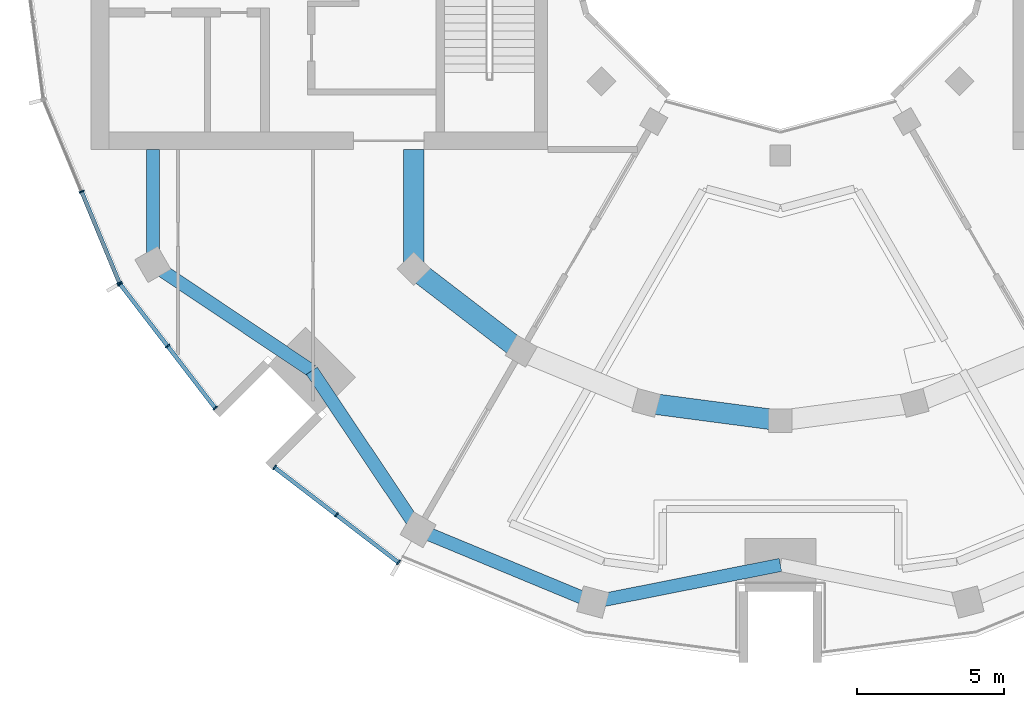
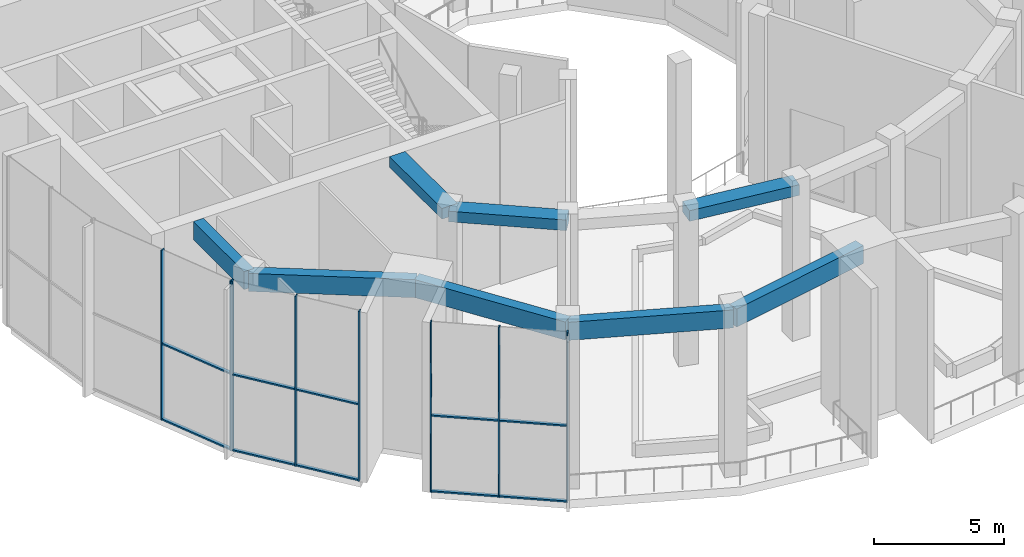
# One storey, part 2 of 18: 18 members, 8 beams, 3 elements without a shape of their own.
"""IFC4 building model written with IfcOpenShell, lengths in metres."""

from ifc_helpers import new_model, si_unit, direction, frame, origin, origin_2d, place, context, subcontext, project, spatial, rectangle, extrude, material, layer, layer_set, material_profile, profile_set, type_object, element, aggregate, save


model = new_model("IFC4")

# Units and contexts
model_context = context("Model", 3, precision=1e-05, world=origin(), true_north=direction((0.0, 1.0)))
body_context = subcontext(model_context, "Body", "Model", "MODEL_VIEW")
ifc_project = project(units=[si_unit("LENGTHUNIT", "METRE"), si_unit("AREAUNIT", "SQUARE_METRE"), si_unit("VOLUMEUNIT", "CUBIC_METRE"), si_unit("PLANEANGLEUNIT", "RADIAN"), si_unit("MASSUNIT", "GRAM", prefix="KILO")], contexts=[model_context])

# Site, building, storey
site_placement = place(None, origin())
site = spatial("IfcSite", under=ifc_project, at=site_placement, CompositionType="ELEMENT")
building_placement = place(site_placement, origin())
building = spatial("IfcBuilding", under=site, at=building_placement, Name="Torre Brocal", CompositionType="ELEMENT")
storey_placement = place(building_placement, frame((0.0, 0.0, 229.300048828125)))
storey = spatial("IfcBuildingStorey", under=building, at=storey_placement, Name="L53", CompositionType="ELEMENT", Elevation=229.300048828125)

# Curtain wall, members
ifc_material_1 = material(Name="Aluminium and glass", Category="aluminium")
ifc_layer = layer(ifc_material_1, 0.199951171875)
ifc_layer_set = layer_set([ifc_layer], Name="Aluminium and glass")
curtain_wall_type = type_object("IfcCurtainWallType", Name="CW-4 CURTAIN WALL 8000 HIGH", PredefinedType="NOTDEFINED", material=ifc_layer_set)
curtain_wall_1_placement = place(storey_placement, origin())
curtain_wall_1 = element("IfcCurtainWall", 1, at=curtain_wall_1_placement, inside=storey, type_object=curtain_wall_type, Name="CW-4 RUN 14", PredefinedType="NOTDEFINED")
ifc_material_2 = material(Name="Aluminium, dark anodised", Category="aluminium")
ifc_material_profile_1 = material_profile(ifc_material_2, rectangle(XDim=0.179931640625, YDim=0.050048828125, at=origin_2d()), Name="CW-4 MULLION 50X180")
ifc_profile_set_1 = profile_set([ifc_material_profile_1], Name="Aluminium, dark anodised")
member_type_1 = type_object("IfcMemberType", Name="CW-4 MULLION 50X180", PredefinedType="MULLION", material=ifc_profile_set_1)
member_1_placement = place(storey_placement, frame((56.277099609375, 65.173583984375, 0.0), z_axis=(0.0, 0.0, 1.0), x_axis=(0.923879532525, 0.382683432333, 0.0)))
member_1 = element("IfcMember", 2, at=member_1_placement, type_object=member_type_1, Name="CW4-1 mullion 2", PredefinedType="MULLION", context=body_context, shape_type="SweptSolid", body=[
    extrude(rectangle(XDim=0.179931640625, YDim=0.050048828125, at=origin_2d()), origin(), (0.0, 0.0, 1.0), 8.0),
])
member_2_placement = place(storey_placement, frame((57.56103515625, 62.073486328125, 0.0), z_axis=(0.0, 0.0, 1.0), x_axis=(0.923879532525, 0.382683432333, 0.0)))
member_2 = element("IfcMember", 3, at=member_2_placement, type_object=member_type_1, Name="CW4-1 mullion 3", PredefinedType="MULLION", context=body_context, shape_type="SweptSolid", body=[
    extrude(rectangle(XDim=0.179931640625, YDim=0.050048828125, at=origin_2d()), origin(), (0.0, 0.0, 1.0), 8.0),
])

curtain_wall_2_placement = place(storey_placement, origin())
curtain_wall_2 = element("IfcCurtainWall", 4, at=curtain_wall_2_placement, inside=storey, type_object=curtain_wall_type, Name="CW-4 RUN 15", PredefinedType="NOTDEFINED")
member_3_placement = place(storey_placement, frame((57.5859375, 62.030517578125, 0.0), z_axis=(0.0, 0.0, 1.0), x_axis=(0.793353340259, 0.60876142905, 0.0)))
member_3 = element("IfcMember", 5, at=member_3_placement, type_object=member_type_1, Name="CW4-1 mullion 1", PredefinedType="MULLION", context=body_context, shape_type="SweptSolid", body=[
    extrude(rectangle(XDim=0.179931640625, YDim=0.050048828125, at=origin_2d()), origin(), (0.0, 0.0, 1.0), 8.0),
])
member_4_placement = place(storey_placement, frame((59.19873046875, 59.9287109375, 0.0), z_axis=(0.0, 0.0, 1.0), x_axis=(0.793353340259, 0.60876142905, 0.0)))
member_4 = element("IfcMember", 6, at=member_4_placement, type_object=member_type_1, Name="CW4-1 mullion 2", PredefinedType="MULLION", context=body_context, shape_type="SweptSolid", body=[
    extrude(rectangle(XDim=0.179931640625, YDim=0.050048828125, at=origin_2d()), origin(), (0.0, 0.0, 1.0), 8.0),
])
member_5_placement = place(storey_placement, frame((60.811767578125, 57.82666015625, 0.0), z_axis=(0.0, 0.0, 1.0), x_axis=(0.793353340259, 0.60876142905, 0.0)))
member_5 = element("IfcMember", 7, at=member_5_placement, type_object=member_type_1, Name="CW4-1 mullion 3", PredefinedType="MULLION", context=body_context, shape_type="SweptSolid", body=[
    extrude(rectangle(XDim=0.179931640625, YDim=0.050048828125, at=origin_2d()), origin(), (0.0, 0.0, 1.0), 8.0),
])

curtain_wall_3_placement = place(storey_placement, origin())
curtain_wall_3 = element("IfcCurtainWall", 8, at=curtain_wall_3_placement, inside=storey, type_object=curtain_wall_type, Name="CW-4 RUN 16", PredefinedType="NOTDEFINED")
member_6_placement = place(storey_placement, frame((62.82666015625, 55.811767578125, 0.0), z_axis=(0.0, 0.0, 1.0), x_axis=(0.60876142905, 0.793353340259, 0.0)))
member_6 = element("IfcMember", 9, at=member_6_placement, type_object=member_type_1, Name="CW4-1 mullion 1", PredefinedType="MULLION", context=body_context, shape_type="SweptSolid", body=[
    extrude(rectangle(XDim=0.179931640625, YDim=0.050048828125, at=origin_2d()), origin(), (0.0, 0.0, 1.0), 8.0),
])
member_7_placement = place(storey_placement, frame((64.9287109375, 54.19873046875, 0.0), z_axis=(0.0, 0.0, 1.0), x_axis=(0.60876142905, 0.793353340259, 0.0)))
member_7 = element("IfcMember", 10, at=member_7_placement, type_object=member_type_1, Name="CW4-1 mullion 2", PredefinedType="MULLION", context=body_context, shape_type="SweptSolid", body=[
    extrude(rectangle(XDim=0.179931640625, YDim=0.050048828125, at=origin_2d()), origin(), (0.0, 0.0, 1.0), 8.0),
])
member_8_placement = place(storey_placement, frame((67.030517578125, 52.5859375, 0.0), z_axis=(0.0, 0.0, 1.0), x_axis=(0.60876142905, 0.793353340259, 0.0)))
member_8 = element("IfcMember", 11, at=member_8_placement, type_object=member_type_1, Name="CW4-1 mullion 3", PredefinedType="MULLION", context=body_context, shape_type="SweptSolid", body=[
    extrude(rectangle(XDim=0.179931640625, YDim=0.050048828125, at=origin_2d()), origin(), (0.0, 0.0, 1.0), 8.0),
])

# Member
ifc_material_3 = material(Name="Aluminium, dark anodised", Category="aluminium")
ifc_material_profile_2 = material_profile(ifc_material_3, rectangle(XDim=0.139892578125, YDim=0.070068359375, at=origin_2d()), Name="CW-4 TRANSOM 140X70")
ifc_profile_set_2 = profile_set([ifc_material_profile_2], Name="Aluminium, dark anodised")
member_type_2 = type_object("IfcMemberType", Name="CW-4 TRANSOM 140X70", PredefinedType="USERDEFINED", material=ifc_profile_set_2)
member_9_placement = place(storey_placement, frame((56.28662109375, 65.150634765625, 0.034912109375), z_axis=(0.382658376168, -0.92388991073, 0.0), x_axis=(0.92388991073, 0.382658376168, 0.0)))
member_9 = element("IfcMember", 12, at=member_9_placement, type_object=member_type_2, Name="CW4-1 transom 2.1", ObjectType="TRANSOM", PredefinedType="USERDEFINED", context=body_context, shape_type="SweptSolid", body=[
    extrude(rectangle(XDim=0.139892578125, YDim=0.070068359375, at=origin_2d()), origin(), (0.0, 0.0, 1.0), 3.305419921875),
])

member_10_placement = place(storey_placement, frame((56.28662109375, 65.150634765625, 3.599853515625), z_axis=(0.382658376168, -0.92388991073, 0.0), x_axis=(0.92388991073, 0.382658376168, 0.0)))
member_10 = element("IfcMember", 13, at=member_10_placement, type_object=member_type_2, Name="CW4-1 transom 2.2", ObjectType="TRANSOM", PredefinedType="USERDEFINED", context=body_context, shape_type="SweptSolid", body=[
    extrude(rectangle(XDim=0.139892578125, YDim=0.070068359375, at=origin_2d()), origin(), (0.0, 0.0, 1.0), 3.305419921875),
])

aggregate(curtain_wall_1, [member_1, member_2, member_9, member_10])

member_11_placement = place(storey_placement, frame((57.60107421875, 62.0107421875, 0.034912109375), z_axis=(0.608784419977, -0.793335698171, 0.0), x_axis=(0.793335698171, 0.608784419977, 0.0)))
member_11 = element("IfcMember", 14, at=member_11_placement, type_object=member_type_2, Name="CW4-1 transom 1.1", ObjectType="TRANSOM", PredefinedType="USERDEFINED", context=body_context, shape_type="SweptSolid", body=[
    extrude(rectangle(XDim=0.139892578125, YDim=0.070068359375, at=origin_2d()), origin(), (0.0, 0.0, 1.0), 2.599365234375),
])

member_12_placement = place(storey_placement, frame((57.60107421875, 62.0107421875, 3.599853515625), z_axis=(0.608784419977, -0.793335698171, 0.0), x_axis=(0.793335698171, 0.608784419977, 0.0)))
member_12 = element("IfcMember", 15, at=member_12_placement, type_object=member_type_2, Name="CW4-1 transom 1.2", ObjectType="TRANSOM", PredefinedType="USERDEFINED", context=body_context, shape_type="SweptSolid", body=[
    extrude(rectangle(XDim=0.139892578125, YDim=0.070068359375, at=origin_2d()), origin(), (0.0, 0.0, 1.0), 2.599365234375),
])

member_13_placement = place(storey_placement, frame((59.214111328125, 59.90869140625, 0.034912109375), z_axis=(0.608725303881, -0.79338105877, 0.0), x_axis=(0.79338105877, 0.608725303881, 0.0)))
member_13 = element("IfcMember", 16, at=member_13_placement, type_object=member_type_2, Name="CW4-1 transom 2.1", ObjectType="TRANSOM", PredefinedType="USERDEFINED", context=body_context, shape_type="SweptSolid", body=[
    extrude(rectangle(XDim=0.139892578125, YDim=0.070068359375, at=origin_2d()), origin(), (0.0, 0.0, 1.0), 2.599365234375),
])

member_14_placement = place(storey_placement, frame((59.214111328125, 59.90869140625, 3.599853515625), z_axis=(0.608725303881, -0.79338105877, 0.0), x_axis=(0.79338105877, 0.608725303881, 0.0)))
member_14 = element("IfcMember", 17, at=member_14_placement, type_object=member_type_2, Name="CW4-1 transom 2.2", ObjectType="TRANSOM", PredefinedType="USERDEFINED", context=body_context, shape_type="SweptSolid", body=[
    extrude(rectangle(XDim=0.139892578125, YDim=0.070068359375, at=origin_2d()), origin(), (0.0, 0.0, 1.0), 2.599365234375),
])

aggregate(curtain_wall_2, [member_3, member_4, member_5, member_11, member_12, member_13, member_14])

member_15_placement = place(storey_placement, frame((62.846435546875, 55.79638671875, 0.034912109375), z_axis=(0.79338105877, -0.608725303881, 0.0), x_axis=(0.608725303881, 0.79338105877, 0.0)))
member_15 = element("IfcMember", 18, at=member_15_placement, type_object=member_type_2, Name="CW4-1 transom 1.1", ObjectType="TRANSOM", PredefinedType="USERDEFINED", context=body_context, shape_type="SweptSolid", body=[
    extrude(rectangle(XDim=0.139892578125, YDim=0.070068359375, at=origin_2d()), origin(), (0.0, 0.0, 1.0), 2.599365234375),
])

member_16_placement = place(storey_placement, frame((62.846435546875, 55.79638671875, 3.599853515625), z_axis=(0.79338105877, -0.608725303881, 0.0), x_axis=(0.608725303881, 0.79338105877, 0.0)))
member_16 = element("IfcMember", 19, at=member_16_placement, type_object=member_type_2, Name="CW4-1 transom 1.2", ObjectType="TRANSOM", PredefinedType="USERDEFINED", context=body_context, shape_type="SweptSolid", body=[
    extrude(rectangle(XDim=0.139892578125, YDim=0.070068359375, at=origin_2d()), origin(), (0.0, 0.0, 1.0), 2.599365234375),
])

member_17_placement = place(storey_placement, frame((64.948486328125, 54.18359375, 0.034912109375), z_axis=(0.793335698171, -0.608784419977, 0.0), x_axis=(0.608784419977, 0.793335698171, 0.0)))
member_17 = element("IfcMember", 20, at=member_17_placement, type_object=member_type_2, Name="CW4-1 transom 2.1", ObjectType="TRANSOM", PredefinedType="USERDEFINED", context=body_context, shape_type="SweptSolid", body=[
    extrude(rectangle(XDim=0.139892578125, YDim=0.070068359375, at=origin_2d()), origin(), (0.0, 0.0, 1.0), 2.599365234375),
])

member_18_placement = place(storey_placement, frame((64.948486328125, 54.18359375, 3.599853515625), z_axis=(0.793335698171, -0.608784419977, 0.0), x_axis=(0.608784419977, 0.793335698171, 0.0)))
member_18 = element("IfcMember", 21, at=member_18_placement, type_object=member_type_2, Name="CW4-1 transom 2.2", ObjectType="TRANSOM", PredefinedType="USERDEFINED", context=body_context, shape_type="SweptSolid", body=[
    extrude(rectangle(XDim=0.139892578125, YDim=0.070068359375, at=origin_2d()), origin(), (0.0, 0.0, 1.0), 2.599365234375),
])

aggregate(curtain_wall_3, [member_6, member_7, member_8, member_15, member_16, member_17, member_18])

# Beams
ifc_material_4 = material(Name="Concrete C50", Category="concrete")
ifc_material_profile_3 = material_profile(ifc_material_4, rectangle(XDim=0.699951171875, YDim=0.5, at=origin_2d()), Name="RC 700X500")
ifc_profile_set_3 = profile_set([ifc_material_profile_3], Name="Concrete C50")
beam_type_1 = type_object("IfcBeamType", Name="RC BEAM 700X500 C50 TOP 7680", PredefinedType="BEAM", material=ifc_profile_set_3)
beam_1_placement = place(storey_placement, frame((67.554931640625, 62.554931640625, 7.429931640625), z_axis=(0.0, 1.0, 0.0), x_axis=(-1.0, 0.0, 0.0)))
element("IfcBeam", 22, at=beam_1_placement, inside=storey, type_object=beam_type_1, Name="Beam BT-41", PredefinedType="BEAM", context=body_context, shape_type="SweptSolid", body=[
    extrude(rectangle(XDim=0.699951171875, YDim=0.5, at=origin_2d()), origin(), (0.0, 0.0, 1.0), 4.045166015625),
])
for number, where, z_axis, x_axis, name in (
    (23, (67.554931640625, 62.554931640625, 7.429931640625), (0.793358265959, -0.6087550097, 0.0), (0.6087550097, 0.793358265959, 0.0), "Beam BT-41"),
    (24, (75.44482421875, 57.999755859375, 7.429931640625), (0.991440544449, -0.130558978332, 0.0), (0.130558978332, 0.991440544449, 0.0), "Beam BT-41"),
):
    element("IfcBeam", number, at=place(storey_placement, frame(where, z_axis=z_axis, x_axis=x_axis)), inside=storey, type_object=beam_type_1, Name=name, PredefinedType="BEAM", context=body_context, shape_type="SweptSolid", body=[
        extrude(rectangle(XDim=0.699951171875, YDim=0.5, at=origin_2d()), origin(), (0.0, 0.0, 1.0), 4.594482421875),
    ])
ifc_material_5 = material(Name="Concrete C50", Category="concrete")
ifc_material_profile_4 = material_profile(ifc_material_5, rectangle(XDim=0.449951171875, YDim=0.85009765625, at=origin_2d()), Name="RC 450X850")
ifc_profile_set_4 = profile_set([ifc_material_profile_4], Name="Concrete C50")
beam_type_2 = type_object("IfcBeamType", Name="RC SPANDREL BEAM 450X850 C50 TOP 7680", PredefinedType="SPANDREL", material=ifc_profile_set_4)
beam_2_placement = place(storey_placement, frame((58.69580078125, 62.699951171875, 7.2548828125), z_axis=(0.0, 1.0, 0.0), x_axis=(-1.0, 0.0, 0.0)))
element("IfcBeam", 25, at=beam_2_placement, inside=storey, type_object=beam_type_2, Name="Beam BT-42", PredefinedType="SPANDREL", context=body_context, shape_type="SweptSolid", body=[
    extrude(rectangle(XDim=0.449951171875, YDim=0.85009765625, at=origin_2d()), origin(), (0.0, 0.0, 1.0), 3.900146484375),
])
for number, where, z_axis, x_axis, name in (
    (26, (58.69580078125, 62.699951171875, 7.2548828125), (0.831076844476, -0.556157602282, 0.0), (0.556157602282, 0.831076844476, 0.0), "Beam BT-42"),
    (27, (64.090087890625, 59.090087890625, 7.2548828125), (0.556157602282, -0.831076844476, 0.0), (0.831076844476, 0.556157602282, 0.0), "Beam BT-42"),
):
    element("IfcBeam", number, at=place(storey_placement, frame(where, z_axis=z_axis, x_axis=x_axis)), inside=storey, type_object=beam_type_2, Name=name, PredefinedType="SPANDREL", context=body_context, shape_type="SweptSolid", body=[
        extrude(rectangle(XDim=0.449951171875, YDim=0.85009765625, at=origin_2d()), origin(), (0.0, 0.0, 1.0), 6.49072265625),
    ])
beam_3_placement = place(storey_placement, frame((67.699951171875, 53.69580078125, 7.2548828125), z_axis=(0.923882462513, -0.382676358639, 0.0), x_axis=(0.382676358639, 0.923882462513, 0.0)))
element("IfcBeam", 28, at=beam_3_placement, inside=storey, type_object=beam_type_2, Name="Beam BT-42", PredefinedType="SPANDREL", context=body_context, shape_type="SweptSolid", body=[
    extrude(rectangle(XDim=0.449951171875, YDim=0.85009765625, at=origin_2d()), origin(), (0.0, 0.0, 1.0), 6.421875),
])
beam_4_placement = place(storey_placement, frame((73.633056640625, 51.23828125, 7.2548828125), z_axis=(0.980924907484, 0.194387051723, 0.0), x_axis=(-0.194387051723, 0.980924907484, 0.0)))
element("IfcBeam", 29, at=beam_4_placement, inside=storey, type_object=beam_type_2, Name="Beam BT-42", PredefinedType="SPANDREL", context=body_context, shape_type="SweptSolid", body=[
    extrude(rectangle(XDim=0.449951171875, YDim=0.85009765625, at=origin_2d()), origin(), (0.0, 0.0, 1.0), 6.49072265625),
])

save(model, "model.ifc")
